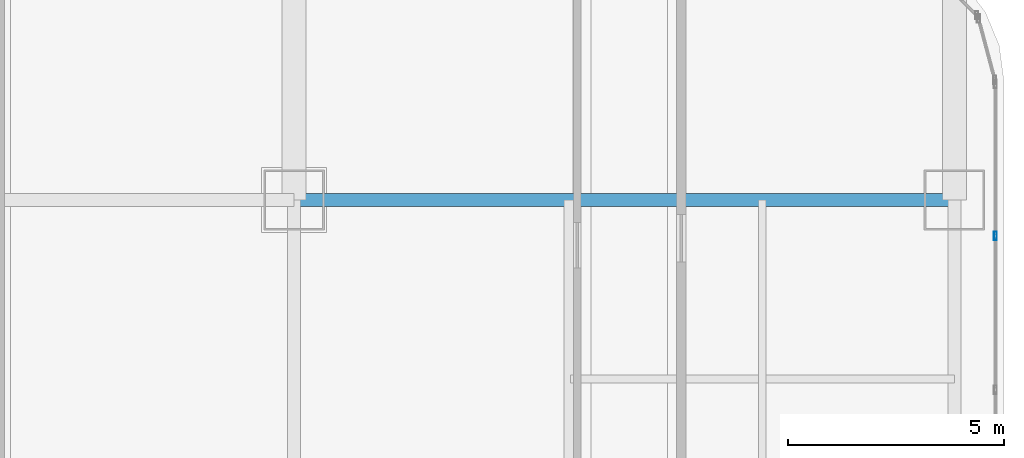
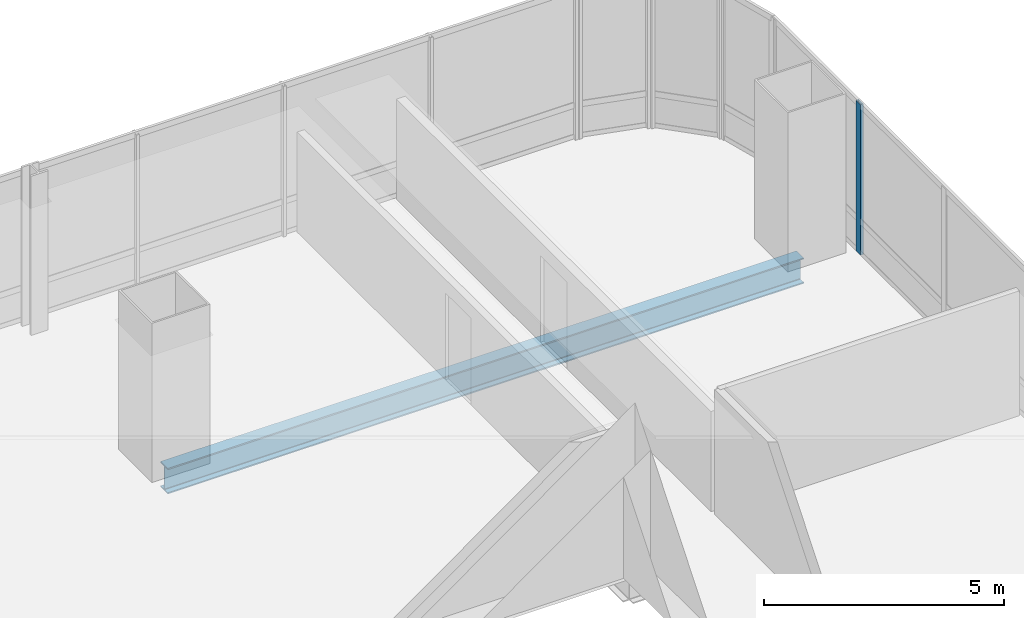
# One storey, part 26 of 38: 1 beam, 1 member, 1 element without a shape of its own.
"""IFC4 building model written with IfcOpenShell, lengths in metres."""

import ifcopenshell
import ifcopenshell.guid

model = None  # the IFC model being written
_history = None  # IfcOwnerHistory: only IFC2X3 demands one
_inside = {}  # id of a spatial element -> (the spatial element, [elements in it])
_under = {}  # id of a project, library or spatial element -> (it, [spatial elements below it])
_declared = {}  # id of a project -> (the project, [libraries it declares])
_typed = {}  # id of a type object -> (the type object, [elements of that type])
_made_of = {}  # id of a material, layer set ... -> (it, [elements and type objects made of it])


def new_model(schema):
    """Start an empty IFC model of exactly this schema.

    Asked for "IFC4X3", IfcOpenShell would pick the latest addendum, in which some entities
    have other attributes; the version numbers below select the first issue.
    IFC2X3 requires an IfcOwnerHistory on every rooted entity: one is made here for all.
    """
    global model, _history
    if schema == "IFC4X3":
        model = ifcopenshell.file(schema_version=(4, 3, 0, 0))
    else:
        model = ifcopenshell.file(schema=schema)
    _inside.clear()
    _under.clear()
    _declared.clear()
    _typed.clear()
    _made_of.clear()
    _history = None
    if model.schema == "IFC2X3":
        org = make("IfcOrganization", Name="unknown")
        user = make(
            "IfcPersonAndOrganization",
            ThePerson=make("IfcPerson", FamilyName="unknown"),
            TheOrganization=org,
        )
        app = make(
            "IfcApplication",
            ApplicationDeveloper=org,
            Version="unknown",
            ApplicationFullName="unknown",
            ApplicationIdentifier="unknown",
        )
        _history = make(
            "IfcOwnerHistory",
            OwningUser=user,
            OwningApplication=app,
            ChangeAction="ADDED",
            CreationDate=0,
        )
    return model


def make(cls, **values):
    """One entity of the class cls with the attributes given. An attribute that is None is left unset."""
    return model.create_entity(
        cls, **{name: value for name, value in values.items() if value is not None}
    )


def rooted(cls, **values):
    """An entity with a GlobalId (a new one), such as an element, a storey or a relation."""
    return make(cls, GlobalId=ifcopenshell.guid.new(), OwnerHistory=_history, **values)


def si_unit(unit_type, name, prefix=None):
    """IfcSIUnit, for example si_unit("LENGTHUNIT", "METRE", prefix="MILLI")."""
    return make("IfcSIUnit", UnitType=unit_type, Prefix=prefix, Name=name)


def assignment(units):
    """IfcUnitAssignment: the units of a project."""
    return None if units is None else make("IfcUnitAssignment", Units=units)


def point(xyz):
    """IfcCartesianPoint."""
    return None if xyz is None else make("IfcCartesianPoint", Coordinates=xyz)


def direction(xyz):
    """IfcDirection."""
    return None if xyz is None else make("IfcDirection", DirectionRatios=xyz)


def frame(location, z_axis=None, x_axis=None):
    """IfcAxis2Placement3D, a coordinate frame: its origin and axes. An axis left out is left unset."""
    return make(
        "IfcAxis2Placement3D",
        Location=point(location),
        Axis=direction(z_axis),
        RefDirection=direction(x_axis),
    )


def frame_2d(location, x_axis=None):
    """IfcAxis2Placement2D, a coordinate frame in the plane: its origin and x axis."""
    return make(
        "IfcAxis2Placement2D", Location=point(location), RefDirection=direction(x_axis)
    )


def origin():
    """The frame at (0, 0, 0) with its axes left unset."""
    return frame((0.0, 0.0, 0.0))


def origin_2d():
    """The frame at (0, 0) in the plane with its x axis left unset."""
    return frame_2d((0.0, 0.0))


def place(relative_to, where):
    """IfcLocalPlacement: puts the frame where relative to a parent placement (None: the world)."""
    return make(
        "IfcLocalPlacement", PlacementRelTo=relative_to, RelativePlacement=where
    )


def context(
    kind, dimensions, precision=None, world=None, true_north=None, identifier=None
):
    """IfcGeometricRepresentationContext, for example the 3D "Model" context."""
    return make(
        "IfcGeometricRepresentationContext",
        ContextIdentifier=identifier,
        ContextType=kind,
        CoordinateSpaceDimension=dimensions,
        Precision=precision,
        WorldCoordinateSystem=world,
        TrueNorth=true_north,
    )


def subcontext(parent, identifier, kind, view, scale=None):
    """IfcGeometricRepresentationSubContext, for example "Body" below "Model"."""
    return make(
        "IfcGeometricRepresentationSubContext",
        ContextIdentifier=identifier,
        ContextType=kind,
        ParentContext=parent,
        TargetScale=scale,
        TargetView=view,
    )


def project(units=None, contexts=None):
    """IfcProject with its units and contexts."""
    return rooted(
        "IfcProject",
        Name="project",
        RepresentationContexts=contexts,
        UnitsInContext=assignment(units),
    )


def spatial(cls, under=None, at=None, **own):
    """A site, building, storey or space (cls), placed at a placement, below another one or the project."""
    s = rooted(cls, ObjectPlacement=at, **own)
    if under is not None:
        _under.setdefault(under.id(), (under, []))[1].append(s)
    return s


def profile(cls, at=None, kind="AREA", **sizes):
    """A parametric profile (cls). Its sizes go by their IFC names, for example OverallWidth=200.0."""
    return make(cls, ProfileType=kind, Position=at, **sizes)


def hollow_rectangle(**sizes):
    """IfcRectangleHollowProfileDef."""
    return profile("IfcRectangleHollowProfileDef", **sizes)


def i_section(**sizes):
    """IfcIShapeProfileDef."""
    return profile("IfcIShapeProfileDef", **sizes)


def extrude(swept, where, along, depth):
    """IfcExtrudedAreaSolid: the profile swept, set in the frame where, extruded along a direction by depth."""
    return make(
        "IfcExtrudedAreaSolid",
        SweptArea=swept,
        Position=where,
        ExtrudedDirection=direction(along),
        Depth=depth,
    )


def shape(context_of_items, identifier, shape_type, items):
    """IfcShapeRepresentation: the items that make up one representation, for example the "Body"."""
    return make(
        "IfcShapeRepresentation",
        ContextOfItems=context_of_items,
        RepresentationIdentifier=identifier,
        RepresentationType=shape_type,
        Items=items,
    )


def material(Name=None, Category=None):
    """IfcMaterial."""
    return make("IfcMaterial", Name=Name, Category=Category)


def material_profile(
    of_material, cross_section, Name=None, Category=None, Priority=None
):
    """IfcMaterialProfile: a cross section and its material."""
    return make(
        "IfcMaterialProfile",
        Name=Name,
        Material=of_material,
        Profile=cross_section,
        Priority=Priority,
        Category=Category,
    )


def profile_set(profiles, Name=None, composite=None):
    """IfcMaterialProfileSet."""
    return make(
        "IfcMaterialProfileSet",
        Name=Name,
        MaterialProfiles=profiles,
        CompositeProfile=composite,
    )


def made_of(thing, what):
    """Note that an element or type object is made of a material, layer set ...; save() writes the relation."""
    if what is not None:
        _made_of.setdefault(what.id(), (what, []))[1].append(thing)
    return thing


def type_object(cls, material=None, **own):
    """A type object (cls), such as IfcWallType, which elements share."""
    return made_of(rooted(cls, **own), material)


def element(
    cls,
    number,
    at=None,
    inside=None,
    cuts=None,
    type_object=None,
    material=None,
    context=None,
    identifier="Body",
    shape_type=None,
    held_by="IfcProductDefinitionShape",
    body=None,
    shapes=None,
    **own,
):
    """One element of the class cls, such as IfcWall. Its Tag is "e" and its number.

    at: its placement. inside: the storey or other place that contains it. cuts: it is an
    opening in that element (IfcRelVoidsElement). A single representation is given by context,
    identifier, shape_type and body (its items); several are given by shapes. held_by: the class
    of the entity that holds the representations. save() writes the other relations.
    """
    e = rooted(cls, Tag="e%d" % number, ObjectPlacement=at, **own)
    if body is not None:
        shapes = [shape(context, identifier, shape_type, body)]
    if shapes is not None:
        e.Representation = make(held_by, Representations=shapes)
    if inside is not None:
        _inside.setdefault(inside.id(), (inside, []))[1].append(e)
    if cuts is not None:
        rooted(
            "IfcRelVoidsElement", RelatingBuildingElement=cuts, RelatedOpeningElement=e
        )
    if type_object is not None:
        _typed.setdefault(type_object.id(), (type_object, []))[1].append(e)
    return made_of(e, material)


def aggregate(whole, parts):
    """IfcRelAggregates: a whole, such as a stair, and the parts it consists of."""
    return rooted("IfcRelAggregates", RelatingObject=whole, RelatedObjects=parts)


def save(model, path):
    """Write the relations noted so far, then the file.

    IfcRelAggregates (storeys below a building ...), IfcRelContainedInSpatialStructure (elements
    in a storey), IfcRelDefinesByType, IfcRelAssociatesMaterial and IfcRelDeclares: one each for
    every whole, place, type object, material and project.
    """
    for whole, parts in _under.values():
        aggregate(whole, parts)
    for where, things in _inside.values():
        rooted(
            "IfcRelContainedInSpatialStructure",
            RelatedElements=things,
            RelatingStructure=where,
        )
    for kind, things in _typed.values():
        rooted("IfcRelDefinesByType", RelatedObjects=things, RelatingType=kind)
    for what, things in _made_of.values():
        rooted("IfcRelAssociatesMaterial", RelatedObjects=things, RelatingMaterial=what)
    for by, libraries in _declared.values():
        rooted("IfcRelDeclares", RelatingContext=by, RelatedDefinitions=libraries)
    model.write(path)


model = new_model("IFC4")

# Units and contexts
model_context = context("Model", 3, precision=1e-05, world=origin(), true_north=direction((0.0, 1.0)))
body_context = subcontext(model_context, "Body", "Model", "MODEL_VIEW")
ifc_project = project(units=[si_unit("LENGTHUNIT", "METRE"), si_unit("AREAUNIT", "SQUARE_METRE"), si_unit("VOLUMEUNIT", "CUBIC_METRE"), si_unit("PLANEANGLEUNIT", "RADIAN"), si_unit("MASSUNIT", "GRAM", prefix="KILO")], contexts=[model_context])

# Site, building, storey
site_placement = place(None, origin())
site = spatial("IfcSite", under=ifc_project, at=site_placement, CompositionType="ELEMENT")
building_placement = place(site_placement, origin())
building = spatial("IfcBuilding", under=site, at=building_placement, Name="Punatoya Terracotta Tower", CompositionType="ELEMENT")
storey_placement = place(building_placement, frame((0.0, 0.0, 143.85009765625)))
storey = spatial("IfcBuildingStorey", under=building, at=storey_placement, Name="L33", CompositionType="ELEMENT", Elevation=143.85009765625)

# Beam
ifc_material_1 = material(Name="Steel S355", Category="steel")
ifc_material_profile_1 = material_profile(ifc_material_1, i_section(OverallWidth=0.300048828125, OverallDepth=0.64990234375, WebThickness=0.01611328125, FlangeThickness=0.031005859375, FilletRadius=0.01806640625, at=origin_2d()))
ifc_profile_set_1 = profile_set([ifc_material_profile_1], Name="Steel S355")
beam_type = type_object("IfcBeamType", Name="BM-PRI-650", PredefinedType="BEAM", material=ifc_profile_set_1)
beam_placement = place(storey_placement, frame((3.800048828125, 17.5, -0.545166015625), z_axis=(1.0, 0.0, 0.0), x_axis=(0.0, 1.0, 0.0)))
element("IfcBeam", 1, at=beam_placement, inside=storey, type_object=beam_type, Name="BM-L33-RG-N3", PredefinedType="BEAM", context=body_context, shape_type="SweptSolid", body=[
    extrude(i_section(OverallWidth=0.300048828125, OverallDepth=0.64990234375, WebThickness=0.01611328125, FlangeThickness=0.031005859375, FilletRadius=0.01806640625, at=origin_2d()), origin(), (0.0, 0.0, 1.0), 15.300048828125),
])

# Curtain wall, member
ifc_material_2 = material(Name="Aluminium 6063-T6 + Double Low-E Glass", Category="aluminium")
curtain_wall_type = type_object("IfcCurtainWallType", Name="CW-M2", PredefinedType="NOTDEFINED", material=ifc_material_2)
curtain_wall_placement = place(storey_placement, origin())
curtain_wall = element("IfcCurtainWall", 2, at=curtain_wall_placement, inside=storey, type_object=curtain_wall_type, Name="L33 Curtain Wall CW-L33-E05-1", PredefinedType="NOTDEFINED")
ifc_material_3 = material(Name="Aluminium 6063-T6", Category="aluminium")
ifc_material_profile_2 = material_profile(ifc_material_3, hollow_rectangle(XDim=0.072021484375, YDim=0.195068359375, WallThickness=0.00439453125, at=origin_2d()))
ifc_profile_set_2 = profile_set([ifc_material_profile_2], Name="Aluminium 6063-T6")
member_type = type_object("IfcMemberType", Name="CW-MUL-M2", PredefinedType="MULLION", material=ifc_profile_set_2)
member_placement = place(storey_placement, frame((20.050048828125, 16.66943359375, 0.0), z_axis=(0.0, 0.0, 1.0), x_axis=(1.0, 0.0, 0.0)))
member = element("IfcMember", 3, at=member_placement, type_object=member_type, Name="CW-L33-E05-1 Mullion 09", PredefinedType="MULLION", context=body_context, shape_type="SweptSolid", body=[
    extrude(hollow_rectangle(XDim=0.072021484375, YDim=0.195068359375, WallThickness=0.00439453125, at=origin_2d()), origin(), (0.0, 0.0, 1.0), 3.829833984375),
])
aggregate(curtain_wall, [member])

save(model, "model.ifc")
